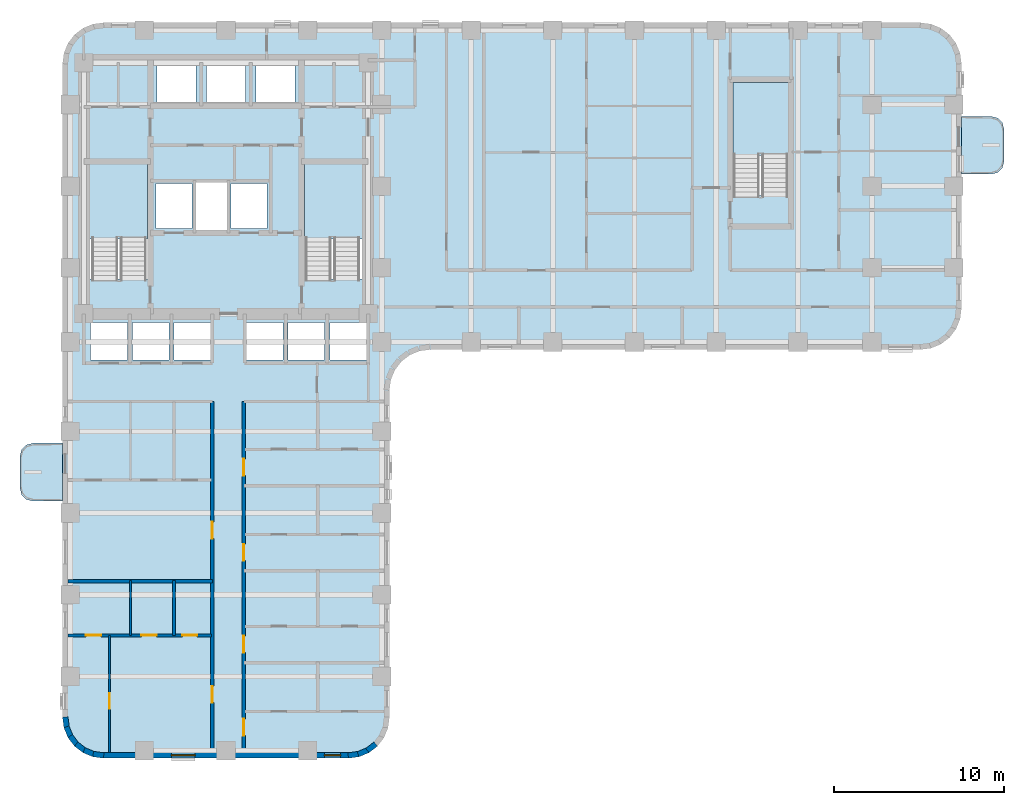
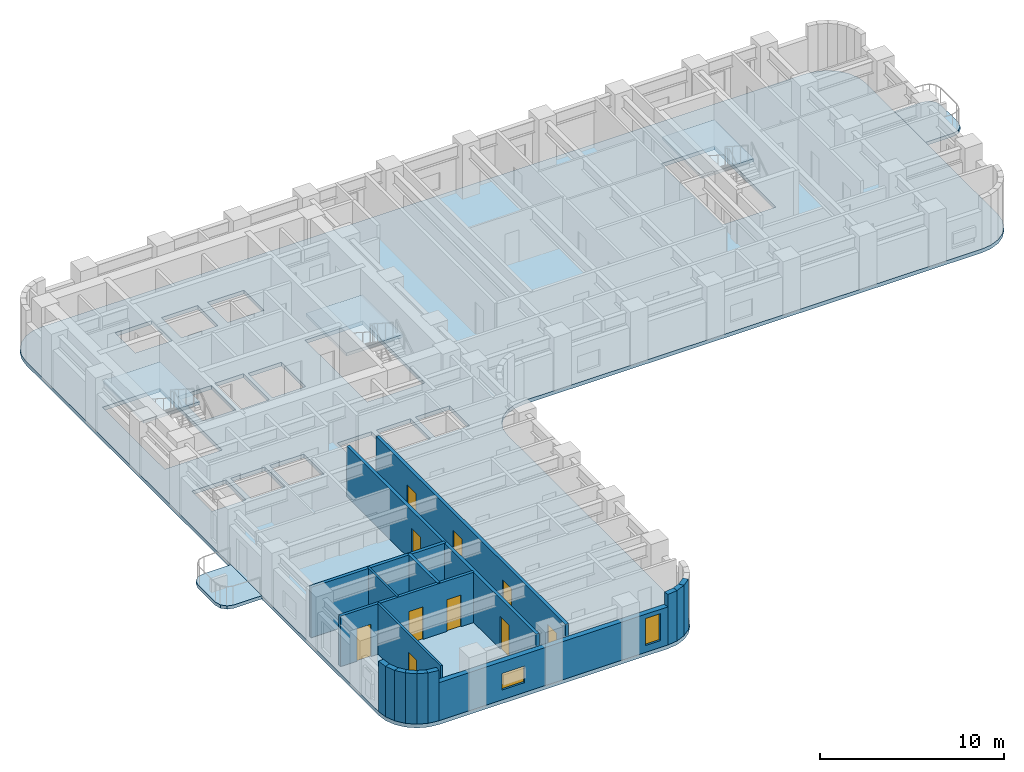
# One storey, part 2 of 11: 17 walls, 10 doors, 6 slabs, 2 windows, 12 openings, 3 elements without a shape of their own.
"""IFC4 building model written with IfcOpenShell, lengths in metres."""

from ifc_helpers import new_model, si_unit, direction, frame, frame_2d, origin, place, context, subcontext, project, spatial, polyline, rectangle, outline, extrude, material, layer, layer_set, type_object, element, fill, aggregate, save


model = new_model("IFC4")

# Units and contexts
model_context = context("Model", 3, precision=1e-05, world=origin(), true_north=direction((0.0, 1.0)))
body_context = subcontext(model_context, "Body", "Model", "MODEL_VIEW")
ifc_project = project(units=[si_unit("LENGTHUNIT", "METRE"), si_unit("AREAUNIT", "SQUARE_METRE"), si_unit("VOLUMEUNIT", "CUBIC_METRE"), si_unit("PLANEANGLEUNIT", "RADIAN"), si_unit("MASSUNIT", "GRAM", prefix="KILO")], contexts=[model_context])

# Site, building, storey
site_placement = place(None, origin())
site = spatial("IfcSite", under=ifc_project, at=site_placement, CompositionType="ELEMENT")
building_placement = place(site_placement, origin())
building = spatial("IfcBuilding", under=site, at=building_placement, Name="Orvandelia Arch Residences", CompositionType="ELEMENT")
storey_placement = place(building_placement, frame((0.0, 0.0, 61.0)))
storey = spatial("IfcBuildingStorey", under=building, at=storey_placement, Name="L15", CompositionType="ELEMENT", Elevation=61.0)

# Slabs
ifc_material_1 = material(Name="Precast concrete C40/50", Category="concrete")
ifc_layer_1 = layer(ifc_material_1, 0.219970703125, Name="Precast concrete C40/50", Category="concrete")
ifc_layer_set_1 = layer_set([ifc_layer_1], Name="Precast concrete C40/50")
slab_type_1 = type_object("IfcSlabType", Name="SLB-BAL-220", PredefinedType="USERDEFINED", material=ifc_layer_set_1)
slab_1_placement = place(storey_placement, frame((0.0, 0.0, -0.219970703125)))
element("IfcSlab", 1, at=slab_1_placement, inside=storey, type_object=slab_type_1, Name="Tree Balcony Cantilever Slab BAL-L15-W1", ObjectType="BALCONY", PredefinedType="USERDEFINED", context=body_context, shape_type="SweptSolid", body=[
    extrude(outline(polyline([(4.800048828125, 19.89990234375), (4.800048828125, 23.300048828125), (3.050048828125, 23.300048828125), (2.675048828125, 23.199462890625), (2.400390625, 22.925048828125), (2.300048828125, 22.550048828125), (2.300048828125, 20.64990234375), (2.400390625, 20.27490234375), (2.675048828125, 20.00048828125), (3.050048828125, 19.89990234375), (4.800048828125, 19.89990234375)])), origin(), (0.0, 0.0, 1.0), 0.219970703125),
])
slab_2_placement = place(storey_placement, frame((0.0, 0.0, -0.219970703125)))
element("IfcSlab", 2, at=slab_2_placement, inside=storey, type_object=slab_type_1, Name="Tree Balcony Cantilever Slab BAL-L15-E1", ObjectType="BALCONY", PredefinedType="USERDEFINED", context=body_context, shape_type="SweptSolid", body=[
    extrude(outline(polyline([(57.60009765625, 42.5), (57.60009765625, 39.10009765625), (59.35009765625, 39.10009765625), (59.72509765625, 39.200439453125), (59.99951171875, 39.47509765625), (60.10009765625, 39.85009765625), (60.10009765625, 41.75), (59.99951171875, 42.125), (59.72509765625, 42.3994140625), (59.35009765625, 42.5), (57.60009765625, 42.5)])), origin(), (0.0, 0.0, 1.0), 0.219970703125),
])

# Stair, slab
ifc_material_2 = material(Name="Concrete C40/50", Category="concrete")
stair_type = type_object("IfcStairType", Name="STAIR-RC-DOGLEG", PredefinedType="HALF_TURN_STAIR", material=ifc_material_2)
stair_1_placement = place(storey_placement, origin())
stair_1 = element("IfcStair", 3, at=stair_1_placement, inside=storey, type_object=stair_type, Name="L15 Protected Exit Stair ST-1", PredefinedType="HALF_TURN_STAIR")
ifc_layer_2 = layer(ifc_material_2, 0.219970703125, Name="Concrete C40/50", Category="concrete")
ifc_layer_set_2 = layer_set([ifc_layer_2], Name="Concrete C40/50")
slab_type_2 = type_object("IfcSlabType", Name="SLB-LANDING-220", PredefinedType="LANDING", material=ifc_layer_set_2)
slab_3_placement = place(storey_placement, frame((0.0, 0.0, 1.60009765625)))
slab_3 = element("IfcSlab", 4, at=slab_3_placement, type_object=slab_type_2, Name="ST-1 landing 1", PredefinedType="LANDING", context=body_context, shape_type="SweptSolid", body=[
    extrude(outline(polyline([(9.800048828125, 35.31005859375), (9.800048828125, 39.68994140625), (6.260009765625, 39.68994140625), (6.260009765625, 35.31005859375), (9.800048828125, 35.31005859375)])), origin(), (0.0, 0.0, 1.0), 0.199951171875),
])
aggregate(stair_1, [slab_3])

stair_2_placement = place(storey_placement, origin())
stair_2 = element("IfcStair", 5, at=stair_2_placement, inside=storey, type_object=stair_type, Name="L15 Protected Exit Stair ST-2", PredefinedType="HALF_TURN_STAIR")
slab_4_placement = place(storey_placement, frame((0.0, 0.0, 1.60009765625)))
slab_4 = element("IfcSlab", 6, at=slab_4_placement, type_object=slab_type_2, Name="ST-2 landing 1", PredefinedType="LANDING", context=body_context, shape_type="SweptSolid", body=[
    extrude(outline(polyline([(22.5400390625, 35.31005859375), (22.5400390625, 39.68994140625), (19.0, 39.68994140625), (19.0, 35.31005859375), (22.5400390625, 35.31005859375)])), origin(), (0.0, 0.0, 1.0), 0.199951171875),
])
aggregate(stair_2, [slab_4])

stair_3_placement = place(storey_placement, origin())
stair_3 = element("IfcStair", 7, at=stair_3_placement, inside=storey, type_object=stair_type, Name="L15 East Wing Exit Stair ST-3", PredefinedType="HALF_TURN_STAIR")
slab_5_placement = place(storey_placement, frame((0.0, 0.0, 1.60009765625)))
slab_5 = element("IfcSlab", 8, at=slab_5_placement, type_object=slab_type_2, Name="ST-3 landing 1", PredefinedType="LANDING", context=body_context, shape_type="SweptSolid", body=[
    extrude(outline(polyline([(47.43994140625, 40.2099609375), (47.43994140625, 44.5), (44.179931640625, 44.5), (44.179931640625, 40.2099609375), (47.43994140625, 40.2099609375)])), origin(), (0.0, 0.0, 1.0), 0.199951171875),
])
aggregate(stair_3, [slab_5])

# Slab
ifc_layer_3 = layer(ifc_material_2, 0.25, Name="Concrete C40/50", Category="concrete")
ifc_layer_set_3 = layer_set([ifc_layer_3], Name="Concrete C40/50")
slab_type_3 = type_object("IfcSlabType", Name="SLB-TWR-250", PredefinedType="FLOOR", material=ifc_layer_set_3)
slab_6_placement = place(storey_placement, frame((0.0, 0.0, -0.25)))
element("IfcSlab", 9, at=slab_6_placement, inside=storey, type_object=slab_type_3, Name="Structural Floor Slab L15-1", PredefinedType="FLOOR", context=body_context, shape_type="SweptSolid", body=[
    extrude(outline(polyline([(4.800048828125, 7.199951171875), (4.8818359375, 6.578857421875), (5.12158203125, 6.0), (5.5029296875, 5.5029296875), (6.0, 5.12158203125), (6.578857421875, 4.8818359375), (7.199951171875, 4.800048828125), (21.60009765625, 4.800048828125), (22.22119140625, 4.8818359375), (22.800048828125, 5.12158203125), (23.297119140625, 5.5029296875), (23.678466796875, 6.0), (23.918212890625, 6.578857421875), (24.0, 7.199951171875), (24.0, 26.39990234375), (24.081787109375, 27.021240234375), (24.321533203125, 27.60009765625), (24.702880859375, 28.09716796875), (25.199951171875, 28.478515625), (25.77880859375, 28.71826171875), (26.39990234375, 28.800048828125), (55.199951171875, 28.800048828125), (55.8212890625, 28.8818359375), (56.39990234375, 29.12158203125), (56.897216796875, 29.5029296875), (57.278564453125, 30.0), (57.518310546875, 30.578857421875), (57.60009765625, 31.199951171875), (57.60009765625, 45.60009765625), (57.518310546875, 46.22119140625), (57.278564453125, 46.800048828125), (56.897216796875, 47.297119140625), (56.39990234375, 47.678466796875), (55.8212890625, 47.918212890625), (55.199951171875, 48.0), (7.199951171875, 48.0), (6.578857421875, 47.918212890625), (6.0, 47.678466796875), (5.5029296875, 47.297119140625), (5.12158203125, 46.800048828125), (4.8818359375, 46.22119140625), (4.800048828125, 45.60009765625), (4.800048828125, 7.199951171875)]), holes=[polyline([(6.219970703125, 32.949951171875), (9.840087890625, 32.949951171875), (9.840087890625, 39.72998046875), (6.219970703125, 39.72998046875), (6.219970703125, 32.949951171875)]), polyline([(18.9599609375, 32.949951171875), (22.580078125, 32.949951171875), (22.580078125, 39.72998046875), (18.9599609375, 39.72998046875), (18.9599609375, 32.949951171875)]), polyline([(44.139892578125, 37.85009765625), (47.47998046875, 37.85009765625), (47.47998046875, 44.5400390625), (44.139892578125, 44.5400390625), (44.139892578125, 37.85009765625)]), polyline([(12.639892578125, 35.81005859375), (14.4599609375, 35.81005859375), (14.4599609375, 38.639892578125), (12.639892578125, 38.639892578125), (12.639892578125, 35.81005859375)]), polyline([(10.300048828125, 35.89990234375), (12.39990234375, 35.89990234375), (12.39990234375, 38.550048828125), (10.300048828125, 38.550048828125), (10.300048828125, 35.89990234375)]), polyline([(14.699951171875, 35.89990234375), (16.800048828125, 35.89990234375), (16.800048828125, 38.550048828125), (14.699951171875, 38.550048828125), (14.699951171875, 35.89990234375)]), polyline([(10.35009765625, 43.300048828125), (12.64990234375, 43.300048828125), (12.64990234375, 45.5), (10.35009765625, 45.5), (10.35009765625, 43.300048828125)]), polyline([(13.25, 43.300048828125), (15.550048828125, 43.300048828125), (15.550048828125, 45.5), (13.25, 45.5), (13.25, 43.300048828125)]), polyline([(16.14990234375, 43.300048828125), (18.449951171875, 43.300048828125), (18.449951171875, 45.5), (16.14990234375, 45.5), (16.14990234375, 43.300048828125)]), polyline([(6.449951171875, 28.199951171875), (8.60009765625, 28.199951171875), (8.60009765625, 30.39990234375), (6.449951171875, 30.39990234375), (6.449951171875, 28.199951171875)]), polyline([(8.89990234375, 28.199951171875), (11.050048828125, 28.199951171875), (11.050048828125, 30.39990234375), (8.89990234375, 30.39990234375), (8.89990234375, 28.199951171875)]), polyline([(11.35009765625, 28.199951171875), (13.5, 28.199951171875), (13.5, 30.39990234375), (11.35009765625, 30.39990234375), (11.35009765625, 28.199951171875)]), polyline([(15.60009765625, 28.199951171875), (17.75, 28.199951171875), (17.75, 30.39990234375), (15.60009765625, 30.39990234375), (15.60009765625, 28.199951171875)]), polyline([(18.050048828125, 28.199951171875), (20.199951171875, 28.199951171875), (20.199951171875, 30.39990234375), (18.050048828125, 30.39990234375), (18.050048828125, 28.199951171875)]), polyline([(20.5, 28.199951171875), (22.64990234375, 28.199951171875), (22.64990234375, 30.39990234375), (20.5, 30.39990234375), (20.5, 28.199951171875)])]), origin(), (0.0, 0.0, 1.0), 0.25),
])

# Wall, openings, doors
ifc_material_3 = material(Name="Fire-Rated Corridor Partition")
ifc_layer_4 = layer(ifc_material_3, 0.199951171875, Name="Fire-Rated Corridor Partition")
ifc_layer_set_4 = layer_set([ifc_layer_4], Name="Fire-Rated Corridor Partition")
wall_type_1 = type_object("IfcWallType", Name="WL-CORR-200", PredefinedType="PARTITIONING", material=ifc_layer_set_4)
wall_1_placement = place(storey_placement, frame((13.60009765625, 5.1201171875, 0.0), z_axis=(0.0, 0.0, 1.0), x_axis=(0.0, 1.0, 0.0)))
wall_1 = element("IfcWall", 10, at=wall_1_placement, inside=storey, type_object=wall_type_1, Name="Interior Partition Wall WL-L15-WC-W", PredefinedType="PARTITIONING", context=body_context, shape_type="SweptSolid", body=[
    extrude(rectangle(XDim=20.6298828125, YDim=0.199951171875, at=frame_2d((10.31494140625, 0.0))), origin(), (0.0, 0.0, 1.0), 3.35009765625),
])
opening_1_placement = place(wall_1_placement, frame((2.93896484375, 0.0, 0.0)))
opening_1 = element("IfcOpeningElement", 11, at=opening_1_placement, cuts=wall_1, Name="Opening D1", PredefinedType="OPENING", context=body_context, shape_type="SweptSolid", body=[
    extrude(rectangle(XDim=0.97998046875, YDim=2.179931640625, at=frame_2d((0.489990234375, 1.08984375))), frame((0.0, 0.10986328125, 0.0), z_axis=(0.0, -1.0, 0.0), x_axis=(1.0, 0.0, 0.0)), (0.0, 0.0, 1.0), 0.219970703125),
])
opening_2_placement = place(wall_1_placement, frame((12.575927734375, 0.0, 0.0)))
opening_2 = element("IfcOpeningElement", 12, at=opening_2_placement, cuts=wall_1, Name="Opening D1", PredefinedType="OPENING", context=body_context, shape_type="SweptSolid", body=[
    extrude(rectangle(XDim=0.97998046875, YDim=2.179931640625, at=frame_2d((0.489990234375, 1.08984375))), frame((0.0, 0.10986328125, 0.0), z_axis=(0.0, -1.0, 0.0), x_axis=(1.0, 0.0, 0.0)), (0.0, 0.0, 1.0), 0.219970703125),
])
ifc_material_4 = material(Name="Solid-Core Timber Acoustic Fire Door", Category="wood")
door_type_1 = type_object("IfcDoorType", Name="DR-ENT-980", OperationType="NOTDEFINED", PredefinedType="DOOR", material=ifc_material_4)
door_1_placement = place(opening_1_placement, origin())
door_1 = element("IfcDoor", 13, at=door_1_placement, inside=storey, type_object=door_type_1, Name="Unit L15-01 Entrance Door", OperationType="SINGLE_SWING_LEFT", OverallHeight=2.179931640625, OverallWidth=0.97998046875, PredefinedType="DOOR", context=body_context, shape_type="SweptSolid", body=[
    extrude(rectangle(XDim=0.97998046875, YDim=2.179931640625, at=frame_2d((0.489990234375, 1.08984375))), frame((0.0, 0.02490234375, 0.0), z_axis=(0.0, -1.0, 0.0), x_axis=(1.0, 0.0, 0.0)), (0.0, 0.0, 1.0), 0.050048828125),
])
fill(opening_1, door_1)
door_2_placement = place(opening_2_placement, origin())
door_2 = element("IfcDoor", 14, at=door_2_placement, inside=storey, type_object=door_type_1, Name="Unit L15-02 Entrance Door", OperationType="SINGLE_SWING_RIGHT", OverallHeight=2.179931640625, OverallWidth=0.97998046875, PredefinedType="DOOR", context=body_context, shape_type="SweptSolid", body=[
    extrude(rectangle(XDim=0.97998046875, YDim=2.179931640625, at=frame_2d((0.489990234375, 1.08984375))), frame((0.0, 0.02490234375, 0.0), z_axis=(0.0, -1.0, 0.0), x_axis=(1.0, 0.0, 0.0)), (0.0, 0.0, 1.0), 0.050048828125),
])
fill(opening_2, door_2)

wall_2_placement = place(storey_placement, frame((15.449951171875, 5.1201171875, 0.0), z_axis=(0.0, 0.0, 1.0), x_axis=(0.0, 1.0, 0.0)))
wall_2 = element("IfcWall", 15, at=wall_2_placement, inside=storey, type_object=wall_type_1, Name="Interior Partition Wall WL-L15-WC-E", PredefinedType="PARTITIONING", context=body_context, shape_type="SweptSolid", body=[
    extrude(rectangle(XDim=20.6298828125, YDim=0.199951171875, at=frame_2d((10.31494140625, 0.0))), origin(), (0.0, 0.0, 1.0), 3.35009765625),
])
opening_3_placement = place(wall_2_placement, frame((1.0009765625, 0.0, 0.0)))
opening_3 = element("IfcOpeningElement", 16, at=opening_3_placement, cuts=wall_2, Name="Opening D1", PredefinedType="OPENING", context=body_context, shape_type="SweptSolid", body=[
    extrude(rectangle(XDim=0.97998046875, YDim=2.179931640625, at=frame_2d((0.489990234375, 1.08984375))), frame((0.0, 0.10986328125, 0.0), z_axis=(0.0, -1.0, 0.0), x_axis=(1.0, 0.0, 0.0)), (0.0, 0.0, 1.0), 0.219970703125),
])
opening_4_placement = place(wall_2_placement, frame((5.8798828125, 0.0, 0.0)))
opening_4 = element("IfcOpeningElement", 17, at=opening_4_placement, cuts=wall_2, Name="Opening D1", PredefinedType="OPENING", context=body_context, shape_type="SweptSolid", body=[
    extrude(rectangle(XDim=0.97998046875, YDim=2.179931640625, at=frame_2d((0.489990234375, 1.08984375))), frame((0.0, 0.10986328125, 0.0), z_axis=(0.0, -1.0, 0.0), x_axis=(1.0, 0.0, 0.0)), (0.0, 0.0, 1.0), 0.219970703125),
])
opening_5_placement = place(wall_2_placement, frame((11.280029296875, 0.0, 0.0)))
opening_5 = element("IfcOpeningElement", 18, at=opening_5_placement, cuts=wall_2, Name="Opening D1", PredefinedType="OPENING", context=body_context, shape_type="SweptSolid", body=[
    extrude(rectangle(XDim=0.97998046875, YDim=2.179931640625, at=frame_2d((0.489990234375, 1.08984375))), frame((0.0, 0.10986328125, 0.0), z_axis=(0.0, -1.0, 0.0), x_axis=(1.0, 0.0, 0.0)), (0.0, 0.0, 1.0), 0.219970703125),
])
opening_6_placement = place(wall_2_placement, frame((16.280029296875, 0.0, 0.0)))
opening_6 = element("IfcOpeningElement", 19, at=opening_6_placement, cuts=wall_2, Name="Opening D1", PredefinedType="OPENING", context=body_context, shape_type="SweptSolid", body=[
    extrude(rectangle(XDim=0.97998046875, YDim=2.179931640625, at=frame_2d((0.489990234375, 1.08984375))), frame((0.0, 0.10986328125, 0.0), z_axis=(0.0, -1.0, 0.0), x_axis=(1.0, 0.0, 0.0)), (0.0, 0.0, 1.0), 0.219970703125),
])
door_3_placement = place(opening_3_placement, origin())
door_3 = element("IfcDoor", 20, at=door_3_placement, inside=storey, type_object=door_type_1, Name="Unit L15-03 Entrance Door", OperationType="SINGLE_SWING_LEFT", OverallHeight=2.179931640625, OverallWidth=0.97998046875, PredefinedType="DOOR", context=body_context, shape_type="SweptSolid", body=[
    extrude(rectangle(XDim=0.97998046875, YDim=2.179931640625, at=frame_2d((0.489990234375, 1.08984375))), frame((0.0, 0.02490234375, 0.0), z_axis=(0.0, -1.0, 0.0), x_axis=(1.0, 0.0, 0.0)), (0.0, 0.0, 1.0), 0.050048828125),
])
fill(opening_3, door_3)
door_4_placement = place(opening_4_placement, origin())
door_4 = element("IfcDoor", 21, at=door_4_placement, inside=storey, type_object=door_type_1, Name="Unit L15-04 Entrance Door", OperationType="SINGLE_SWING_RIGHT", OverallHeight=2.179931640625, OverallWidth=0.97998046875, PredefinedType="DOOR", context=body_context, shape_type="SweptSolid", body=[
    extrude(rectangle(XDim=0.97998046875, YDim=2.179931640625, at=frame_2d((0.489990234375, 1.08984375))), frame((0.0, 0.02490234375, 0.0), z_axis=(0.0, -1.0, 0.0), x_axis=(1.0, 0.0, 0.0)), (0.0, 0.0, 1.0), 0.050048828125),
])
fill(opening_4, door_4)
door_5_placement = place(opening_5_placement, origin())
door_5 = element("IfcDoor", 22, at=door_5_placement, inside=storey, type_object=door_type_1, Name="Unit L15-05 Entrance Door", OperationType="SINGLE_SWING_LEFT", OverallHeight=2.179931640625, OverallWidth=0.97998046875, PredefinedType="DOOR", context=body_context, shape_type="SweptSolid", body=[
    extrude(rectangle(XDim=0.97998046875, YDim=2.179931640625, at=frame_2d((0.489990234375, 1.08984375))), frame((0.0, 0.02490234375, 0.0), z_axis=(0.0, -1.0, 0.0), x_axis=(1.0, 0.0, 0.0)), (0.0, 0.0, 1.0), 0.050048828125),
])
fill(opening_5, door_5)
door_6_placement = place(opening_6_placement, origin())
door_6 = element("IfcDoor", 23, at=door_6_placement, inside=storey, type_object=door_type_1, Name="Unit L15-06 Entrance Door", OperationType="SINGLE_SWING_RIGHT", OverallHeight=2.179931640625, OverallWidth=0.97998046875, PredefinedType="DOOR", context=body_context, shape_type="SweptSolid", body=[
    extrude(rectangle(XDim=0.97998046875, YDim=2.179931640625, at=frame_2d((0.489990234375, 1.08984375))), frame((0.0, 0.02490234375, 0.0), z_axis=(0.0, -1.0, 0.0), x_axis=(1.0, 0.0, 0.0)), (0.0, 0.0, 1.0), 0.050048828125),
])
fill(opening_6, door_6)

# Walls
ifc_layer_5 = layer(ifc_material_2, 0.199951171875, Name="Concrete C40/50", Category="concrete")
ifc_layer_set_5 = layer_set([ifc_layer_5], Name="Concrete C40/50")
wall_type_2 = type_object("IfcWallType", Name="WL-DEM-200", PredefinedType="SOLIDWALL", material=ifc_layer_set_5)
wall_3_placement = place(storey_placement, frame((5.1201171875, 15.199951171875, 0.0), z_axis=(0.0, 0.0, 1.0), x_axis=(1.0, 0.0, 0.0)))
element("IfcWall", 24, at=wall_3_placement, inside=storey, type_object=wall_type_2, Name="Interior Partition Wall WL-L15-DEM-WL-152", PredefinedType="SOLIDWALL", context=body_context, shape_type="SweptSolid", body=[
    extrude(rectangle(XDim=8.47998046875, YDim=0.199951171875, at=frame_2d((4.239990234375, 0.0))), origin(), (0.0, 0.0, 1.0), 3.35009765625),
])
ifc_layer_6 = layer(ifc_material_1, 0.320068359375, Name="Precast concrete C40/50", Category="concrete")
ifc_layer_set_6 = layer_set([ifc_layer_6], Name="Precast concrete C40/50")
wall_type_3 = type_object("IfcWallType", Name="WL-EXT-STONE-320", PredefinedType="STANDARD", material=ifc_layer_set_6)
wall_4_placement = place(storey_placement, frame((23.19970703125, 5.6298828125, 0.0), z_axis=(0.0, 0.0, 1.0), x_axis=(-0.7932174212, -0.608938521285, 0.0)))
element("IfcWall", 25, at=wall_4_placement, inside=storey, type_object=wall_type_3, Name="Coral-Limestone Precast Facade Wall L15-032", PredefinedType="STANDARD", context=body_context, shape_type="SweptSolid", body=[
    extrude(rectangle(XDim=0.626708984375, YDim=0.320068359375, at=frame_2d((0.3134765625, 0.0))), origin(), (0.0, 0.0, 1.0), 3.35009765625),
])
for number, where, z_axis, x_axis, name in (
    (26, (22.73876953125, 5.269287109375, 0.0), (0.0, 0.0, 1.0), (-0.92389335771, -0.382650053678, 0.0), "Coral-Limestone Precast Facade Wall L15-033"),
    (27, (22.2001953125, 5.040283203125, 0.0), (0.0, 0.0, 1.0), (-0.9914410257, -0.130555323746, 0.0), "Coral-Limestone Precast Facade Wall L15-034"),
):
    element("IfcWall", number, at=place(storey_placement, frame(where, z_axis=z_axis, x_axis=x_axis)), inside=storey, type_object=wall_type_3, Name=name, PredefinedType="STANDARD", context=body_context, shape_type="SweptSolid", body=[
        extrude(rectangle(XDim=0.62646484375, YDim=0.320068359375, at=frame_2d((0.313232421875, 0.0))), origin(), (0.0, 0.0, 1.0), 3.35009765625),
    ])

# Wall, openings, windows
wall_5_placement = place(storey_placement, frame((21.60009765625, 4.9599609375, 0.0), z_axis=(0.0, 0.0, 1.0), x_axis=(-1.0, 0.0, 0.0)))
wall_5 = element("IfcWall", 28, at=wall_5_placement, inside=storey, type_object=wall_type_3, Name="Coral-Limestone Precast Facade Wall L15-035", PredefinedType="STANDARD", context=body_context, shape_type="SweptSolid", body=[
    extrude(rectangle(XDim=14.400146484375, YDim=0.320068359375, at=frame_2d((7.2001953125, 0.0))), origin(), (0.0, 0.0, 1.0), 2.530029296875),
])
opening_7_placement = place(wall_5_placement, frame((0.469970703125, 0.0, 0.449951171875)))
opening_7 = element("IfcOpeningElement", 29, at=opening_7_placement, cuts=wall_5, Name="Opening W4", PredefinedType="OPENING", context=body_context, shape_type="SweptSolid", body=[
    extrude(rectangle(XDim=0.949951171875, YDim=1.800048828125, at=frame_2d((0.47509765625, 0.89990234375))), frame((0.0, 0.169921875, 0.0), z_axis=(0.0, -1.0, 0.0), x_axis=(1.0, 0.0, 0.0)), (0.0, 0.0, 1.0), 0.340087890625),
])
opening_8_placement = place(wall_5_placement, frame((9.014892578125, 0.0, 0.64990234375)))
opening_8 = element("IfcOpeningElement", 30, at=opening_8_placement, cuts=wall_5, Name="Opening W10", PredefinedType="OPENING", context=body_context, shape_type="SweptSolid", body=[
    extrude(rectangle(XDim=1.39990234375, YDim=1.10009765625, at=frame_2d((0.699951171875, 0.550048828125))), frame((0.0, 0.169921875, 0.0), z_axis=(0.0, -1.0, 0.0), x_axis=(1.0, 0.0, 0.0)), (0.0, 0.0, 1.0), 0.340087890625),
])
ifc_material_5 = material(Name="Tempered Low-E Insulated Glazing", Category="glass")
window_type_1 = type_object("IfcWindowType", Name="WIN-CLR-1400x1100", PartitioningType="SINGLE_PANEL", PredefinedType="WINDOW", material=ifc_material_5)
window_1_placement = place(opening_8_placement, origin())
window_1 = element("IfcWindow", 31, at=window_1_placement, inside=storey, type_object=window_type_1, Name="Recessed Punched Window L15-024", OverallHeight=1.10009765625, OverallWidth=1.39990234375, PartitioningType="SINGLE_PANEL", PredefinedType="WINDOW", context=body_context, shape_type="SweptSolid", body=[
    extrude(rectangle(XDim=1.39990234375, YDim=1.10009765625, at=frame_2d((0.699951171875, 0.550048828125))), frame((0.0, 0.030029296875, 0.0), z_axis=(0.0, -1.0, 0.0), x_axis=(1.0, 0.0, 0.0)), (0.0, 0.0, 1.0), 0.06005859375),
])
fill(opening_8, window_1)
window_type_2 = type_object("IfcWindowType", Name="WIN-RES-0950x1800", PartitioningType="SINGLE_PANEL", PredefinedType="WINDOW", material=ifc_material_5)
window_2_placement = place(opening_7_placement, origin())
window_2 = element("IfcWindow", 32, at=window_2_placement, inside=storey, type_object=window_type_2, Name="Recessed Punched Window L15-023", OverallHeight=1.800048828125, OverallWidth=0.949951171875, PartitioningType="SINGLE_PANEL", PredefinedType="WINDOW", context=body_context, shape_type="SweptSolid", body=[
    extrude(rectangle(XDim=0.949951171875, YDim=1.800048828125, at=frame_2d((0.47509765625, 0.89990234375))), frame((0.0, 0.030029296875, 0.0), z_axis=(0.0, -1.0, 0.0), x_axis=(1.0, 0.0, 0.0)), (0.0, 0.0, 1.0), 0.06005859375),
])
fill(opening_7, window_2)

# Walls
wall_6_placement = place(storey_placement, frame((7.220947265625, 4.95849609375, 0.0), z_axis=(0.0, 0.0, 1.0), x_axis=(-0.991447664465, 0.130504898859, 0.0)))
element("IfcWall", 33, at=wall_6_placement, inside=storey, type_object=wall_type_3, Name="Coral-Limestone Precast Facade Wall L15-036", PredefinedType="STANDARD", context=body_context, shape_type="SweptSolid", body=[
    extrude(rectangle(XDim=0.626708984375, YDim=0.320068359375, at=frame_2d((0.3134765625, 0.0))), origin(), (0.0, 0.0, 1.0), 3.35009765625),
])
wall_7_placement = place(storey_placement, frame((6.639892578125, 5.029541015625, 0.0), z_axis=(0.0, 0.0, 1.0), x_axis=(-0.923836271867, 0.382787856107, 0.0)))
element("IfcWall", 34, at=wall_7_placement, inside=storey, type_object=wall_type_3, Name="Coral-Limestone Precast Facade Wall L15-037", PredefinedType="STANDARD", context=body_context, shape_type="SweptSolid", body=[
    extrude(rectangle(XDim=0.626220703125, YDim=0.320068359375, at=frame_2d((0.31298828125, 0.0))), origin(), (0.0, 0.0, 1.0), 3.35009765625),
])
for number, where, z_axis, x_axis, name in (
    (35, (6.097412109375, 5.248291015625, 0.0), (0.0, 0.0, 1.0), (-0.7932174212, 0.608938521285, 0.0), "Coral-Limestone Precast Facade Wall L15-038"),
    (36, (5.6298828125, 5.600341796875, 0.0), (0.0, 0.0, 1.0), (-0.608938521285, 0.7932174212, 0.0), "Coral-Limestone Precast Facade Wall L15-039"),
):
    element("IfcWall", number, at=place(storey_placement, frame(where, z_axis=z_axis, x_axis=x_axis)), inside=storey, type_object=wall_type_3, Name=name, PredefinedType="STANDARD", context=body_context, shape_type="SweptSolid", body=[
        extrude(rectangle(XDim=0.626708984375, YDim=0.320068359375, at=frame_2d((0.3134765625, 0.0))), origin(), (0.0, 0.0, 1.0), 3.35009765625),
    ])
wall_8_placement = place(storey_placement, frame((5.269287109375, 6.061279296875, 0.0), z_axis=(0.0, 0.0, 1.0), x_axis=(-0.382787856107, 0.923836271867, 0.0)))
element("IfcWall", 37, at=wall_8_placement, inside=storey, type_object=wall_type_3, Name="Coral-Limestone Precast Facade Wall L15-040", PredefinedType="STANDARD", context=body_context, shape_type="SweptSolid", body=[
    extrude(rectangle(XDim=0.626220703125, YDim=0.320068359375, at=frame_2d((0.31298828125, 0.0))), origin(), (0.0, 0.0, 1.0), 3.35009765625),
])
wall_9_placement = place(storey_placement, frame((5.040283203125, 6.599609375, 0.0), z_axis=(0.0, 0.0, 1.0), x_axis=(-0.130504898859, 0.991447664465, 0.0)))
element("IfcWall", 38, at=wall_9_placement, inside=storey, type_object=wall_type_3, Name="Coral-Limestone Precast Facade Wall L15-041", PredefinedType="STANDARD", context=body_context, shape_type="SweptSolid", body=[
    extrude(rectangle(XDim=0.626708984375, YDim=0.320068359375, at=frame_2d((0.3134765625, 0.0))), origin(), (0.0, 0.0, 1.0), 3.35009765625),
])
ifc_material_6 = material(Name="Lightweight Gypsum Stud Partition")
ifc_layer_7 = layer(ifc_material_6, 0.1201171875, Name="Lightweight Gypsum Stud Partition")
ifc_layer_set_7 = layer_set([ifc_layer_7], Name="Lightweight Gypsum Stud Partition")
wall_type_4 = type_object("IfcWallType", Name="WL-PART-120", PredefinedType="PARTITIONING", material=ifc_layer_set_7)
wall_10_placement = place(storey_placement, frame((8.791015625, 12.01806640625, 0.0), z_axis=(0.0, 0.0, 1.0), x_axis=(0.0, 1.0, 0.0)))
element("IfcWall", 39, at=wall_10_placement, inside=storey, type_object=wall_type_4, Name="Interior Partition Wall WL-L15-U01-V1", PredefinedType="PARTITIONING", context=body_context, shape_type="SweptSolid", body=[
    extrude(rectangle(XDim=3.221923828125, YDim=0.1201171875, at=frame_2d((1.61083984375, 0.0))), origin(), (0.0, 0.0, 1.0), 3.35009765625),
])

# Wall, opening, door
ifc_material_7 = material(Name="Double-Layer Acoustic Gypsum Partition")
ifc_layer_8 = layer(ifc_material_7, 0.135009765625, Name="Double-Layer Acoustic Gypsum Partition")
ifc_layer_set_8 = layer_set([ifc_layer_8], Name="Double-Layer Acoustic Gypsum Partition")
wall_type_5 = type_object("IfcWallType", Name="WL-PART-135", PredefinedType="PARTITIONING", material=ifc_layer_set_8)
wall_11_placement = place(storey_placement, frame((7.55908203125, 5.1201171875, 0.0), z_axis=(0.0, 0.0, 1.0), x_axis=(0.0, 1.0, 0.0)))
wall_11 = element("IfcWall", 40, at=wall_11_placement, inside=storey, type_object=wall_type_5, Name="Interior Partition Wall WL-L15-U01-DIN", PredefinedType="PARTITIONING", context=body_context, shape_type="SweptSolid", body=[
    extrude(rectangle(XDim=6.89794921875, YDim=0.135009765625, at=frame_2d((3.448974609375, 0.0))), origin(), (0.0, 0.0, 1.0), 3.35009765625),
])
opening_9_placement = place(wall_11_placement, frame((2.59716796875, 0.0, 0.0)))
opening_9 = element("IfcOpeningElement", 41, at=opening_9_placement, cuts=wall_11, Name="Opening D3", PredefinedType="OPENING", context=body_context, shape_type="SweptSolid", body=[
    extrude(rectangle(XDim=0.89990234375, YDim=2.14990234375, at=frame_2d((0.449951171875, 1.074951171875))), frame((0.0, 0.07763671875, 0.0), z_axis=(0.0, -1.0, 0.0), x_axis=(1.0, 0.0, 0.0)), (0.0, 0.0, 1.0), 0.155029296875),
])
ifc_material_8 = material(Name="Engineered Timber Flush Door", Category="wood")
door_type_2 = type_object("IfcDoorType", Name="DR-INT-900", OperationType="NOTDEFINED", PredefinedType="DOOR", material=ifc_material_8)
door_7_placement = place(opening_9_placement, origin())
door_7 = element("IfcDoor", 42, at=door_7_placement, inside=storey, type_object=door_type_2, Name="DR-L15-U01-DIN", OperationType="SINGLE_SWING_RIGHT", OverallHeight=2.14990234375, OverallWidth=0.89990234375, PredefinedType="DOOR", context=body_context, shape_type="SweptSolid", body=[
    extrude(rectangle(XDim=0.89990234375, YDim=2.14990234375, at=frame_2d((0.449951171875, 1.074951171875))), frame((0.0, 0.02490234375, 0.0), z_axis=(0.0, -1.0, 0.0), x_axis=(1.0, 0.0, 0.0)), (0.0, 0.0, 1.0), 0.050048828125),
])
fill(opening_9, door_7)

# Wall, openings, doors
ifc_material_9 = material(Name="Moisture-Resistant Plumbing Wall")
ifc_layer_9 = layer(ifc_material_9, 0.179931640625, Name="Moisture-Resistant Plumbing Wall")
ifc_layer_set_9 = layer_set([ifc_layer_9], Name="Moisture-Resistant Plumbing Wall")
wall_type_6 = type_object("IfcWallType", Name="WL-WET-180", PredefinedType="PLUMBINGWALL", material=ifc_layer_set_9)
wall_12_placement = place(storey_placement, frame((5.1201171875, 12.01806640625, 0.0), z_axis=(0.0, 0.0, 1.0), x_axis=(1.0, 0.0, 0.0)))
wall_12 = element("IfcWall", 43, at=wall_12_placement, inside=storey, type_object=wall_type_6, Name="Interior Partition Wall WL-L15-U01-HZ", PredefinedType="PLUMBINGWALL", context=body_context, shape_type="SweptSolid", body=[
    extrude(rectangle(XDim=8.419921875, YDim=0.179931640625, at=frame_2d((4.2099609375, 0.0))), origin(), (0.0, 0.0, 1.0), 3.35009765625),
])
opening_10_placement = place(wall_12_placement, frame((1.04638671875, 0.0, 0.0)))
opening_10 = element("IfcOpeningElement", 44, at=opening_10_placement, cuts=wall_12, Name="Opening D3", PredefinedType="OPENING", context=body_context, shape_type="SweptSolid", body=[
    extrude(rectangle(XDim=0.89990234375, YDim=2.14990234375, at=frame_2d((0.449951171875, 1.074951171875))), frame((0.0, 0.10009765625, 0.0), z_axis=(0.0, -1.0, 0.0), x_axis=(1.0, 0.0, 0.0)), (0.0, 0.0, 1.0), 0.199951171875),
])
opening_11_placement = place(wall_12_placement, frame((4.307373046875, 0.0, 0.0)))
opening_11 = element("IfcOpeningElement", 45, at=opening_11_placement, cuts=wall_12, Name="Opening D3", PredefinedType="OPENING", context=body_context, shape_type="SweptSolid", body=[
    extrude(rectangle(XDim=0.89990234375, YDim=2.14990234375, at=frame_2d((0.449951171875, 1.074951171875))), frame((0.0, 0.10009765625, 0.0), z_axis=(0.0, -1.0, 0.0), x_axis=(1.0, 0.0, 0.0)), (0.0, 0.0, 1.0), 0.199951171875),
])
opening_12_placement = place(wall_12_placement, frame((6.723388671875, 0.0, 0.0)))
opening_12 = element("IfcOpeningElement", 46, at=opening_12_placement, cuts=wall_12, Name="Opening D4", PredefinedType="OPENING", context=body_context, shape_type="SweptSolid", body=[
    extrude(rectangle(XDim=0.860107421875, YDim=2.10009765625, at=frame_2d((0.43017578125, 1.050048828125))), frame((0.0, 0.10009765625, 0.0), z_axis=(0.0, -1.0, 0.0), x_axis=(1.0, 0.0, 0.0)), (0.0, 0.0, 1.0), 0.199951171875),
])
door_8_placement = place(opening_10_placement, origin())
door_8 = element("IfcDoor", 47, at=door_8_placement, inside=storey, type_object=door_type_2, Name="DR-L15-U01-BD1", OperationType="SINGLE_SWING_LEFT", OverallHeight=2.14990234375, OverallWidth=0.89990234375, PredefinedType="DOOR", context=body_context, shape_type="SweptSolid", body=[
    extrude(rectangle(XDim=0.89990234375, YDim=2.14990234375, at=frame_2d((0.449951171875, 1.074951171875))), frame((0.0, 0.02490234375, 0.0), z_axis=(0.0, -1.0, 0.0), x_axis=(1.0, 0.0, 0.0)), (0.0, 0.0, 1.0), 0.050048828125),
])
fill(opening_10, door_8)
door_9_placement = place(opening_11_placement, origin())
door_9 = element("IfcDoor", 48, at=door_9_placement, inside=storey, type_object=door_type_2, Name="DR-L15-U01-KIT", OperationType="SINGLE_SWING_RIGHT", OverallHeight=2.14990234375, OverallWidth=0.89990234375, PredefinedType="DOOR", context=body_context, shape_type="SweptSolid", body=[
    extrude(rectangle(XDim=0.89990234375, YDim=2.14990234375, at=frame_2d((0.449951171875, 1.074951171875))), frame((0.0, 0.02490234375, 0.0), z_axis=(0.0, -1.0, 0.0), x_axis=(1.0, 0.0, 0.0)), (0.0, 0.0, 1.0), 0.050048828125),
])
fill(opening_11, door_9)
ifc_material_10 = material(Name="Moisture-Sealed Timber Bathroom Door", Category="wood")
door_type_3 = type_object("IfcDoorType", Name="DR-WET-900", OperationType="NOTDEFINED", PredefinedType="DOOR", material=ifc_material_10)
door_10_placement = place(opening_12_placement, origin())
door_10 = element("IfcDoor", 49, at=door_10_placement, inside=storey, type_object=door_type_3, Name="DR-L15-U01-BTH", OperationType="SINGLE_SWING_LEFT", OverallHeight=2.10009765625, OverallWidth=0.860107421875, PredefinedType="DOOR", context=body_context, shape_type="SweptSolid", body=[
    extrude(rectangle(XDim=0.860107421875, YDim=2.10009765625, at=frame_2d((0.43017578125, 1.050048828125))), frame((0.0, 0.02490234375, 0.0), z_axis=(0.0, -1.0, 0.0), x_axis=(1.0, 0.0, 0.0)), (0.0, 0.0, 1.0), 0.050048828125),
])
fill(opening_12, door_10)

# Wall
wall_13_placement = place(storey_placement, frame((11.35498046875, 12.01806640625, 0.0), z_axis=(0.0, 0.0, 1.0), x_axis=(0.0, 1.0, 0.0)))
element("IfcWall", 50, at=wall_13_placement, inside=storey, type_object=wall_type_6, Name="Interior Partition Wall WL-L15-U01-V2", PredefinedType="PLUMBINGWALL", context=body_context, shape_type="SweptSolid", body=[
    extrude(rectangle(XDim=3.221923828125, YDim=0.179931640625, at=frame_2d((1.61083984375, 0.0))), origin(), (0.0, 0.0, 1.0), 3.35009765625),
])

save(model, "model.ifc")
